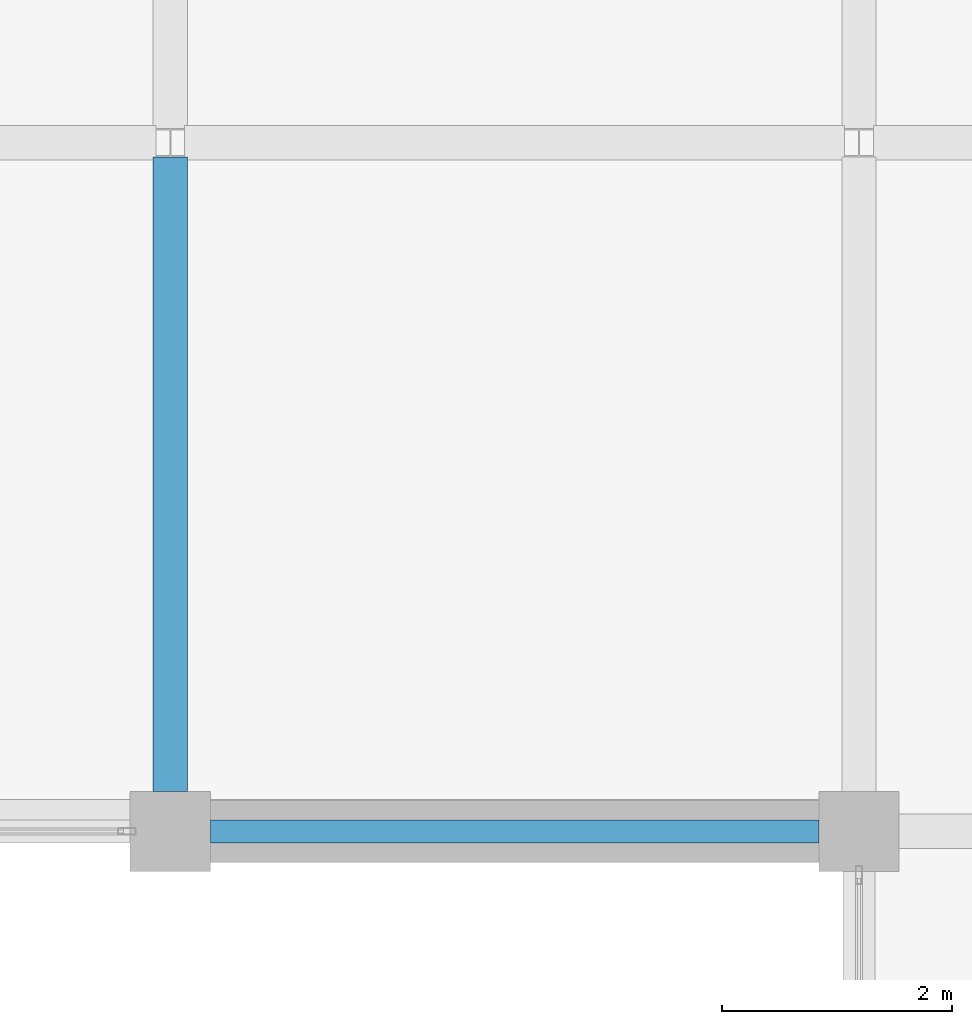
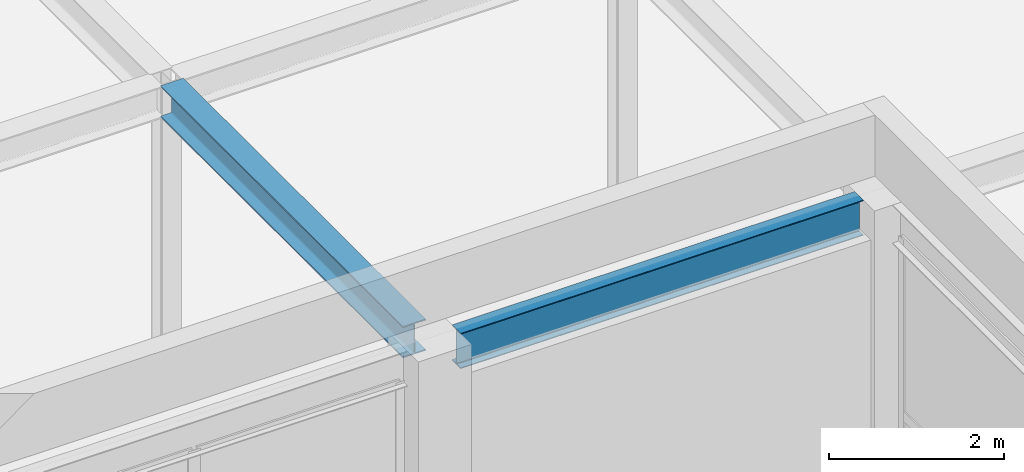
# One storey, part 58 of 111: 2 beams.
"""IFC4 building model written with IfcOpenShell, lengths in metres."""

from ifc_helpers import new_model, si_unit, direction, frame, origin, origin_2d, place, context, subcontext, project, spatial, i_section, extrude, material, material_profile, profile_set, type_object, element, save


model = new_model("IFC4")

# Units and contexts
model_context = context("Model", 3, precision=1e-05, world=origin(), true_north=direction((0.0, 1.0)))
body_context = subcontext(model_context, "Body", "Model", "MODEL_VIEW")
ifc_project = project(units=[si_unit("LENGTHUNIT", "METRE"), si_unit("AREAUNIT", "SQUARE_METRE"), si_unit("VOLUMEUNIT", "CUBIC_METRE"), si_unit("PLANEANGLEUNIT", "RADIAN"), si_unit("MASSUNIT", "GRAM", prefix="KILO")], contexts=[model_context])

# Site, building, storey
site_placement = place(None, origin())
site = spatial("IfcSite", under=ifc_project, at=site_placement, CompositionType="ELEMENT")
building_placement = place(site_placement, origin())
building = spatial("IfcBuilding", under=site, at=building_placement, Name="Zlatovratsky Civic Hall", CompositionType="ELEMENT")
storey_placement = place(building_placement, frame((0.0, 0.0, 16.5)))
storey = spatial("IfcBuildingStorey", under=building, at=storey_placement, Name="L04", CompositionType="ELEMENT", Elevation=16.5)

# Beams
ifc_material = material(Name="Steel S355", Category="steel")
ifc_material_profile_1 = material_profile(ifc_material, i_section(OverallWidth=0.198974609375, OverallDepth=0.491943359375, WebThickness=0.0087890625, FlangeThickness=0.011962890625, FilletRadius=0.01611328125, at=origin_2d()), Name="50B1")
ifc_profile_set_1 = profile_set([ifc_material_profile_1], Name="Steel S355")
beam_type_1 = type_object("IfcBeamType", Name="Beam_Spandrel_50B1", PredefinedType="SPANDREL", material=ifc_profile_set_1)
beam_1_placement = place(storey_placement, frame((108.35009765625, 12.0, 3.75390625), z_axis=(1.0, 0.0, 0.0), x_axis=(0.0, 1.0, 0.0)))
element("IfcBeam", 1, at=beam_1_placement, inside=storey, type_object=beam_type_1, Name="BM-3227", PredefinedType="SPANDREL", context=body_context, shape_type="SweptSolid", body=[
    extrude(i_section(OverallWidth=0.198974609375, OverallDepth=0.491943359375, WebThickness=0.0087890625, FlangeThickness=0.011962890625, FilletRadius=0.01611328125, at=origin_2d()), origin(), (0.0, 0.0, 1.0), 5.2998046875),
])
ifc_material_profile_2 = material_profile(ifc_material, i_section(OverallWidth=0.300048828125, OverallDepth=0.43994140625, WebThickness=0.010986328125, FlangeThickness=0.01806640625, FilletRadius=0.02197265625, at=origin_2d()), Name="45Sh1")
ifc_profile_set_2 = profile_set([ifc_material_profile_2], Name="Steel S355")
beam_type_2 = type_object("IfcBeamType", Name="Beam_TowerLow_45Sh1", PredefinedType="BEAM", material=ifc_profile_set_2)
beam_2_placement = place(storey_placement, frame((108.0, 12.35009765625, 3.780029296875), z_axis=(0.0, 1.0, 0.0), x_axis=(-1.0, 0.0, 0.0)))
element("IfcBeam", 2, at=beam_2_placement, inside=storey, type_object=beam_type_2, Name="BM-3706", PredefinedType="BEAM", context=body_context, shape_type="SweptSolid", body=[
    extrude(i_section(OverallWidth=0.300048828125, OverallDepth=0.43994140625, WebThickness=0.010986328125, FlangeThickness=0.01806640625, FilletRadius=0.02197265625, at=origin_2d()), origin(), (0.0, 0.0, 1.0), 5.52490234375),
])

save(model, "model.ifc")
